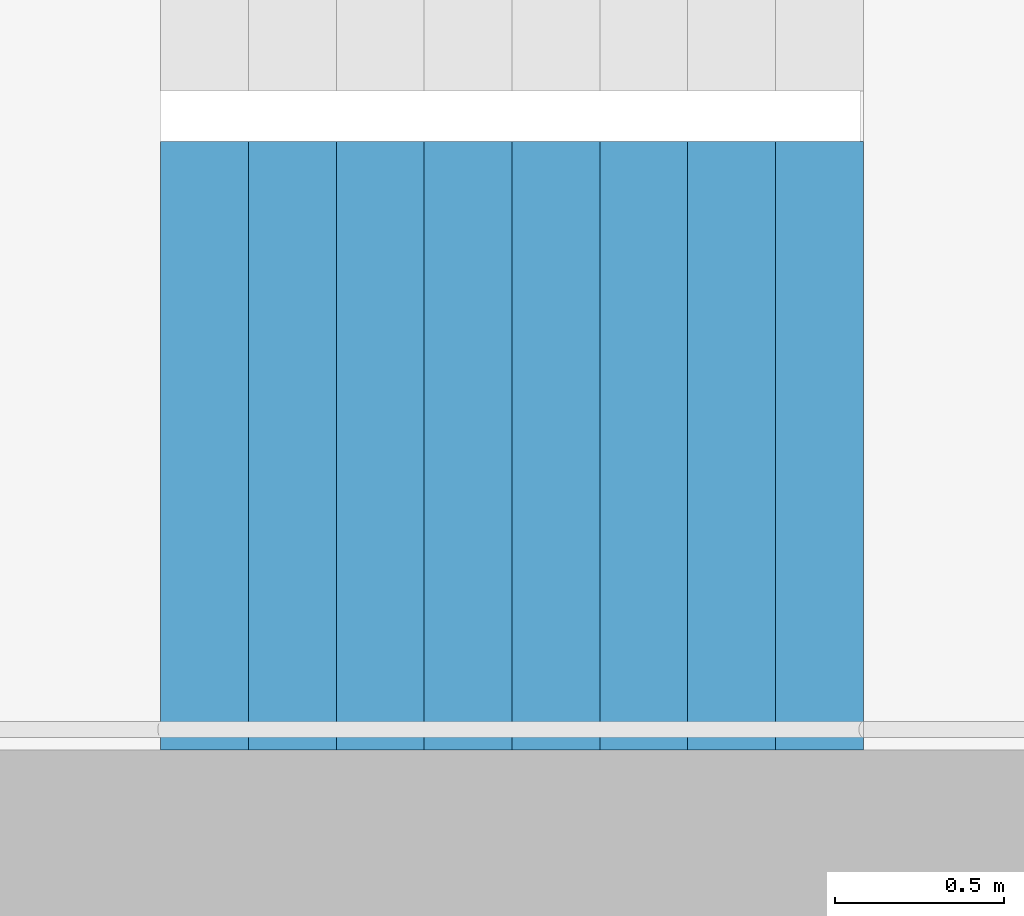
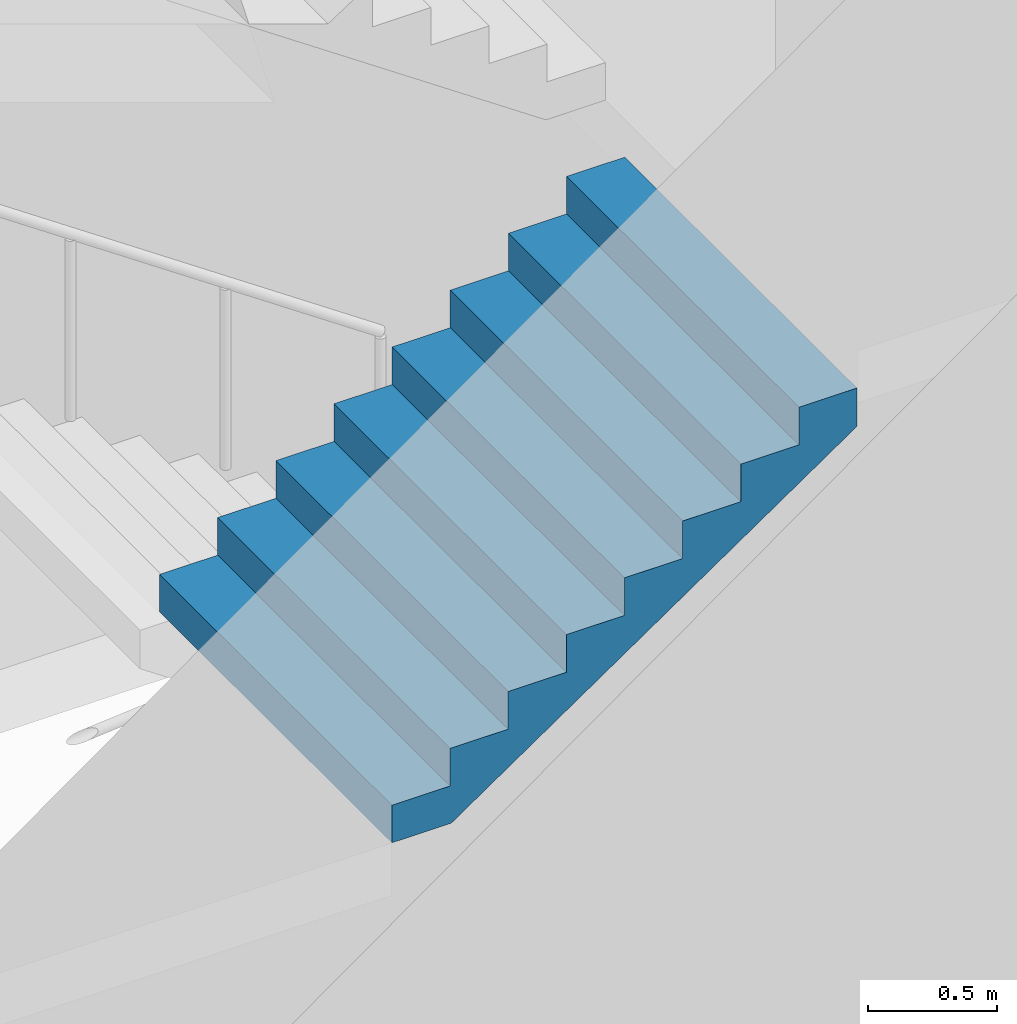
# One storey, part 17 of 43: 1 stair flight, 1 element without a shape of its own.
"""IFC4 building model written with IfcOpenShell, lengths in metres."""

from ifc_helpers import new_model, si_unit, direction, frame, origin, place, context, subcontext, project, spatial, triangles, material, type_object, element, aggregate, save


model = new_model("IFC4")

# Units and contexts
model_context = context("Model", 3, precision=1e-05, world=origin(), true_north=direction((0.0, 1.0)))
body_context = subcontext(model_context, "Body", "Model", "MODEL_VIEW")
ifc_project = project(units=[si_unit("LENGTHUNIT", "METRE"), si_unit("AREAUNIT", "SQUARE_METRE"), si_unit("VOLUMEUNIT", "CUBIC_METRE"), si_unit("PLANEANGLEUNIT", "RADIAN"), si_unit("MASSUNIT", "GRAM", prefix="KILO")], contexts=[model_context])

# Site, building, storey
site_placement = place(None, origin())
site = spatial("IfcSite", under=ifc_project, at=site_placement, CompositionType="ELEMENT")
building_placement = place(site_placement, origin())
building = spatial("IfcBuilding", under=site, at=building_placement, Name="Hakoniwa Tower and Hamabe Station Hall", CompositionType="ELEMENT")
storey_placement = place(building_placement, frame((0.0, 0.0, 124.60009765625)))
storey = spatial("IfcBuildingStorey", under=building, at=storey_placement, Name="L35", CompositionType="ELEMENT", Elevation=124.60009765625)

# Stair, stair flight
ifc_material_1 = material(Name="Concrete C40", Category="concrete")
stair_type = type_object("IfcStairType", Name="ESCAPE STAIR 1800", PredefinedType="HALF_TURN_STAIR", material=ifc_material_1)
stair_placement = place(storey_placement, origin())
stair = element("IfcStair", 1, at=stair_placement, inside=storey, type_object=stair_type, Name="Escape stair ST-2 L35", PredefinedType="HALF_TURN_STAIR")
ifc_material_2 = material(Name="Concrete C40", Category="concrete")
stair_flight_type = type_object("IfcStairFlightType", Name="STAIR FLIGHT 1800", PredefinedType="STRAIGHT", material=ifc_material_2)
stair_flight_placement = place(storey_placement, frame((-25.47998046875, -6.60009765625, 1.599853515625), z_axis=(0.0, 0.0, 1.0), x_axis=(1.0, 0.0, 0.0)))
stair_flight = element("IfcStairFlight", 2, at=stair_flight_placement, type_object=stair_flight_type, Name="ST-2 flight 2", NumberOfRisers=9, NumberOfTreads=8, PredefinedType="STRAIGHT", RiserHeight=0.177777778, TreadLength=0.26, context=body_context, shape_type="Tessellation", body=[
    triangles([(0.0, 0.89990234375, 0.0), (0.260009765625, 0.89990234375, 0.0), (0.265625, 0.89990234375, 0.0), (0.52001953125, 0.89990234375, 0.174072265625), (0.780029296875, 0.89990234375, 0.351806640625), (1.0400390625, 0.89990234375, 0.529541015625), (1.300048828125, 0.89990234375, 0.707275390625), (1.56005859375, 0.89990234375, 0.885009765625), (1.820068359375, 0.89990234375, 1.062744140625), (2.080078125, 0.89990234375, 1.24072265625), (2.080078125, 0.89990234375, 1.422119140625), (1.820068359375, 0.89990234375, 1.422119140625), (1.820068359375, 0.89990234375, 1.244384765625), (1.56005859375, 0.89990234375, 1.244384765625), (1.56005859375, 0.89990234375, 1.066650390625), (1.300048828125, 0.89990234375, 1.066650390625), (1.300048828125, 0.89990234375, 0.888916015625), (1.0400390625, 0.89990234375, 0.888916015625), (1.0400390625, 0.89990234375, 0.711181640625), (0.780029296875, 0.89990234375, 0.711181640625), (0.780029296875, 0.89990234375, 0.533447265625), (0.52001953125, 0.89990234375, 0.533447265625), (0.52001953125, 0.89990234375, 0.35546875), (0.265625, 0.89990234375, 0.35546875), (0.260009765625, 0.89990234375, 0.35546875), (0.260009765625, 0.89990234375, 0.177734375), (0.0, 0.89990234375, 0.177734375), (0.0, 0.06005859375, 0.0), (0.260009765625, 0.06005859375, 0.0), (0.265625, 0.06005859375, 0.0), (0.52001953125, 0.06005859375, 0.174072265625), (0.780029296875, 0.06005859375, 0.351806640625), (1.0400390625, 0.06005859375, 0.529541015625), (1.300048828125, 0.06005859375, 0.707275390625), (1.56005859375, 0.06005859375, 0.885009765625), (1.820068359375, 0.06005859375, 1.062744140625), (2.080078125, 0.06005859375, 1.24072265625), (2.080078125, 0.06005859375, 1.422119140625), (1.820068359375, 0.06005859375, 1.422119140625), (1.820068359375, 0.06005859375, 1.244384765625), (1.56005859375, 0.06005859375, 1.244384765625), (1.56005859375, 0.06005859375, 1.066650390625), (1.300048828125, 0.06005859375, 1.066650390625), (1.300048828125, 0.06005859375, 0.888916015625), (1.0400390625, 0.06005859375, 0.888916015625), (1.0400390625, 0.06005859375, 0.711181640625), (0.780029296875, 0.06005859375, 0.711181640625), (0.780029296875, 0.06005859375, 0.533447265625), (0.52001953125, 0.06005859375, 0.533447265625), (0.52001953125, 0.06005859375, 0.35546875), (0.265625, 0.06005859375, 0.35546875), (0.260009765625, 0.06005859375, 0.35546875), (0.260009765625, 0.06005859375, 0.177734375), (0.0, 0.06005859375, 0.177734375), (0.0, 0.04296875, 0.0), (0.260009765625, 0.04296875, 0.0), (0.265625, 0.04296875, 0.0), (0.52001953125, 0.04296875, 0.174072265625), (0.780029296875, 0.04296875, 0.351806640625), (1.0400390625, 0.04296875, 0.529541015625), (1.300048828125, 0.04296875, 0.707275390625), (1.56005859375, 0.04296875, 0.885009765625), (1.820068359375, 0.04296875, 1.062744140625), (2.080078125, 0.04296875, 1.24072265625), (2.080078125, 0.04296875, 1.422119140625), (1.820068359375, 0.04296875, 1.422119140625), (1.820068359375, 0.04296875, 1.244384765625), (1.56005859375, 0.04296875, 1.244384765625), (1.56005859375, 0.04296875, 1.066650390625), (1.300048828125, 0.04296875, 1.066650390625), (1.300048828125, 0.04296875, 0.888916015625), (1.0400390625, 0.04296875, 0.888916015625), (1.0400390625, 0.04296875, 0.711181640625), (0.780029296875, 0.04296875, 0.711181640625), (0.780029296875, 0.04296875, 0.533447265625), (0.52001953125, 0.04296875, 0.533447265625), (0.52001953125, 0.04296875, 0.35546875), (0.265625, 0.04296875, 0.35546875), (0.260009765625, 0.04296875, 0.35546875), (0.260009765625, 0.04296875, 0.177734375), (0.0, 0.04296875, 0.177734375), (0.0, 0.025634765625, 0.0), (0.260009765625, 0.025634765625, 0.0), (0.265625, 0.025634765625, 0.0), (0.52001953125, 0.025634765625, 0.174072265625), (0.780029296875, 0.025634765625, 0.351806640625), (1.0400390625, 0.025634765625, 0.529541015625), (1.300048828125, 0.025634765625, 0.707275390625), (1.56005859375, 0.025634765625, 0.885009765625), (1.820068359375, 0.025634765625, 1.062744140625), (2.080078125, 0.025634765625, 1.24072265625), (2.080078125, 0.025634765625, 1.422119140625), (1.820068359375, 0.025634765625, 1.422119140625), (1.820068359375, 0.025634765625, 1.244384765625), (1.56005859375, 0.025634765625, 1.244384765625), (1.56005859375, 0.025634765625, 1.066650390625), (1.300048828125, 0.025634765625, 1.066650390625), (1.300048828125, 0.025634765625, 0.888916015625), (1.0400390625, 0.025634765625, 0.888916015625), (1.0400390625, 0.025634765625, 0.711181640625), (0.780029296875, 0.025634765625, 0.711181640625), (0.780029296875, 0.025634765625, 0.533447265625), (0.52001953125, 0.025634765625, 0.533447265625), (0.52001953125, 0.025634765625, 0.35546875), (0.265625, 0.025634765625, 0.35546875), (0.260009765625, 0.025634765625, 0.35546875), (0.260009765625, 0.025634765625, 0.177734375), (0.0, 0.025634765625, 0.177734375), (0.0, 0.008544921875, 0.0), (0.260009765625, 0.008544921875, 0.0), (0.265625, 0.008544921875, 0.0), (0.52001953125, 0.008544921875, 0.174072265625), (0.780029296875, 0.008544921875, 0.351806640625), (1.0400390625, 0.008544921875, 0.529541015625), (1.300048828125, 0.008544921875, 0.707275390625), (1.56005859375, 0.008544921875, 0.885009765625), (1.820068359375, 0.008544921875, 1.062744140625), (2.080078125, 0.008544921875, 1.24072265625), (2.080078125, 0.008544921875, 1.422119140625), (1.820068359375, 0.008544921875, 1.422119140625), (1.820068359375, 0.008544921875, 1.244384765625), (1.56005859375, 0.008544921875, 1.244384765625), (1.56005859375, 0.008544921875, 1.066650390625), (1.300048828125, 0.008544921875, 1.066650390625), (1.300048828125, 0.008544921875, 0.888916015625), (1.0400390625, 0.008544921875, 0.888916015625), (1.0400390625, 0.008544921875, 0.711181640625), (0.780029296875, 0.008544921875, 0.711181640625), (0.780029296875, 0.008544921875, 0.533447265625), (0.52001953125, 0.008544921875, 0.533447265625), (0.52001953125, 0.008544921875, 0.35546875), (0.265625, 0.008544921875, 0.35546875), (0.260009765625, 0.008544921875, 0.35546875), (0.260009765625, 0.008544921875, 0.177734375), (0.0, 0.008544921875, 0.177734375), (0.0, -0.008544921875, 0.0), (0.260009765625, -0.008544921875, 0.0), (0.265625, -0.008544921875, 0.0), (0.52001953125, -0.008544921875, 0.174072265625), (0.780029296875, -0.008544921875, 0.351806640625), (1.0400390625, -0.008544921875, 0.529541015625), (1.300048828125, -0.008544921875, 0.707275390625), (1.56005859375, -0.008544921875, 0.885009765625), (1.820068359375, -0.008544921875, 1.062744140625), (2.080078125, -0.008544921875, 1.24072265625), (2.080078125, -0.008544921875, 1.422119140625), (1.820068359375, -0.008544921875, 1.422119140625), (1.820068359375, -0.008544921875, 1.244384765625), (1.56005859375, -0.008544921875, 1.244384765625), (1.56005859375, -0.008544921875, 1.066650390625), (1.300048828125, -0.008544921875, 1.066650390625), (1.300048828125, -0.008544921875, 0.888916015625), (1.0400390625, -0.008544921875, 0.888916015625), (1.0400390625, -0.008544921875, 0.711181640625), (0.780029296875, -0.008544921875, 0.711181640625), (0.780029296875, -0.008544921875, 0.533447265625), (0.52001953125, -0.008544921875, 0.533447265625), (0.52001953125, -0.008544921875, 0.35546875), (0.265625, -0.008544921875, 0.35546875), (0.260009765625, -0.008544921875, 0.35546875), (0.260009765625, -0.008544921875, 0.177734375), (0.0, -0.008544921875, 0.177734375), (0.0, -0.025634765625, 0.0), (0.260009765625, -0.025634765625, 0.0), (0.265625, -0.025634765625, 0.0), (0.52001953125, -0.025634765625, 0.174072265625), (0.780029296875, -0.025634765625, 0.351806640625), (1.0400390625, -0.025634765625, 0.529541015625), (1.300048828125, -0.025634765625, 0.707275390625), (1.56005859375, -0.025634765625, 0.885009765625), (1.820068359375, -0.025634765625, 1.062744140625), (2.080078125, -0.025634765625, 1.24072265625), (2.080078125, -0.025634765625, 1.422119140625), (1.820068359375, -0.025634765625, 1.422119140625), (1.820068359375, -0.025634765625, 1.244384765625), (1.56005859375, -0.025634765625, 1.244384765625), (1.56005859375, -0.025634765625, 1.066650390625), (1.300048828125, -0.025634765625, 1.066650390625), (1.300048828125, -0.025634765625, 0.888916015625), (1.0400390625, -0.025634765625, 0.888916015625), (1.0400390625, -0.025634765625, 0.711181640625), (0.780029296875, -0.025634765625, 0.711181640625), (0.780029296875, -0.025634765625, 0.533447265625), (0.52001953125, -0.025634765625, 0.533447265625), (0.52001953125, -0.025634765625, 0.35546875), (0.265625, -0.025634765625, 0.35546875), (0.260009765625, -0.025634765625, 0.35546875), (0.260009765625, -0.025634765625, 0.177734375), (0.0, -0.025634765625, 0.177734375), (0.0, -0.04296875, 0.0), (0.260009765625, -0.04296875, 0.0), (0.265625, -0.04296875, 0.0), (0.52001953125, -0.04296875, 0.174072265625), (0.780029296875, -0.04296875, 0.351806640625), (1.0400390625, -0.04296875, 0.529541015625), (1.300048828125, -0.04296875, 0.707275390625), (1.56005859375, -0.04296875, 0.885009765625), (1.820068359375, -0.04296875, 1.062744140625), (2.080078125, -0.04296875, 1.24072265625), (2.080078125, -0.04296875, 1.422119140625), (1.820068359375, -0.04296875, 1.422119140625), (1.820068359375, -0.04296875, 1.244384765625), (1.56005859375, -0.04296875, 1.244384765625), (1.56005859375, -0.04296875, 1.066650390625), (1.300048828125, -0.04296875, 1.066650390625), (1.300048828125, -0.04296875, 0.888916015625), (1.0400390625, -0.04296875, 0.888916015625), (1.0400390625, -0.04296875, 0.711181640625), (0.780029296875, -0.04296875, 0.711181640625), (0.780029296875, -0.04296875, 0.533447265625), (0.52001953125, -0.04296875, 0.533447265625), (0.52001953125, -0.04296875, 0.35546875), (0.265625, -0.04296875, 0.35546875), (0.260009765625, -0.04296875, 0.35546875), (0.260009765625, -0.04296875, 0.177734375), (0.0, -0.04296875, 0.177734375), (0.0, -0.06005859375, 0.0), (0.260009765625, -0.06005859375, 0.0), (0.265625, -0.06005859375, 0.0), (0.52001953125, -0.06005859375, 0.174072265625), (0.780029296875, -0.06005859375, 0.351806640625), (1.0400390625, -0.06005859375, 0.529541015625), (1.300048828125, -0.06005859375, 0.707275390625), (1.56005859375, -0.06005859375, 0.885009765625), (1.820068359375, -0.06005859375, 1.062744140625), (2.080078125, -0.06005859375, 1.24072265625), (2.080078125, -0.06005859375, 1.422119140625), (1.820068359375, -0.06005859375, 1.422119140625), (1.820068359375, -0.06005859375, 1.244384765625), (1.56005859375, -0.06005859375, 1.244384765625), (1.56005859375, -0.06005859375, 1.066650390625), (1.300048828125, -0.06005859375, 1.066650390625), (1.300048828125, -0.06005859375, 0.888916015625), (1.0400390625, -0.06005859375, 0.888916015625), (1.0400390625, -0.06005859375, 0.711181640625), (0.780029296875, -0.06005859375, 0.711181640625), (0.780029296875, -0.06005859375, 0.533447265625), (0.52001953125, -0.06005859375, 0.533447265625), (0.52001953125, -0.06005859375, 0.35546875), (0.265625, -0.06005859375, 0.35546875), (0.260009765625, -0.06005859375, 0.35546875), (0.260009765625, -0.06005859375, 0.177734375), (0.0, -0.06005859375, 0.177734375), (0.0, -0.89990234375, 0.0), (0.260009765625, -0.89990234375, 0.0), (0.265625, -0.89990234375, 0.0), (0.52001953125, -0.89990234375, 0.174072265625), (0.780029296875, -0.89990234375, 0.351806640625), (1.0400390625, -0.89990234375, 0.529541015625), (1.300048828125, -0.89990234375, 0.707275390625), (1.56005859375, -0.89990234375, 0.885009765625), (1.820068359375, -0.89990234375, 1.062744140625), (2.080078125, -0.89990234375, 1.24072265625), (2.080078125, -0.89990234375, 1.422119140625), (1.820068359375, -0.89990234375, 1.422119140625), (1.820068359375, -0.89990234375, 1.244384765625), (1.56005859375, -0.89990234375, 1.244384765625), (1.56005859375, -0.89990234375, 1.066650390625), (1.300048828125, -0.89990234375, 1.066650390625), (1.300048828125, -0.89990234375, 0.888916015625), (1.0400390625, -0.89990234375, 0.888916015625), (1.0400390625, -0.89990234375, 0.711181640625), (0.780029296875, -0.89990234375, 0.711181640625), (0.780029296875, -0.89990234375, 0.533447265625), (0.52001953125, -0.89990234375, 0.533447265625), (0.52001953125, -0.89990234375, 0.35546875), (0.265625, -0.89990234375, 0.35546875), (0.260009765625, -0.89990234375, 0.35546875), (0.260009765625, -0.89990234375, 0.177734375), (0.0, -0.89990234375, 0.177734375)], [[2, 27, 26], [245, 269, 270], [2, 1, 27], [245, 270, 244], [3, 25, 24], [246, 267, 268], [3, 26, 25], [246, 268, 269], [3, 2, 26], [246, 269, 245], [4, 24, 23], [247, 266, 267], [4, 3, 24], [247, 267, 246], [5, 22, 21], [248, 264, 265], [5, 23, 22], [248, 265, 266], [5, 4, 23], [248, 266, 247], [6, 20, 19], [249, 262, 263], [6, 21, 20], [249, 263, 264], [6, 5, 21], [249, 264, 248], [7, 18, 17], [250, 260, 261], [7, 19, 18], [250, 261, 262], [7, 6, 19], [250, 262, 249], [8, 16, 15], [251, 258, 259], [8, 17, 16], [251, 259, 260], [8, 7, 17], [251, 260, 250], [9, 14, 13], [252, 256, 257], [9, 15, 14], [252, 257, 258], [9, 8, 15], [252, 258, 251], [10, 12, 11], [253, 254, 255], [10, 13, 12], [253, 255, 256], [10, 9, 13], [253, 256, 252], [1, 2, 29], [1, 29, 28], [28, 29, 56], [28, 56, 55], [55, 56, 83], [55, 83, 82], [82, 83, 110], [82, 110, 109], [109, 110, 137], [109, 137, 136], [136, 137, 164], [136, 164, 163], [163, 164, 191], [163, 191, 190], [190, 191, 218], [190, 218, 217], [217, 218, 245], [217, 245, 244], [2, 3, 30], [2, 30, 29], [29, 30, 57], [29, 57, 56], [56, 57, 84], [56, 84, 83], [83, 84, 111], [83, 111, 110], [110, 111, 138], [110, 138, 137], [137, 138, 165], [137, 165, 164], [164, 165, 192], [164, 192, 191], [191, 192, 219], [191, 219, 218], [218, 219, 246], [218, 246, 245], [3, 4, 31], [3, 31, 30], [30, 31, 58], [30, 58, 57], [57, 58, 85], [57, 85, 84], [84, 85, 112], [84, 112, 111], [111, 112, 139], [111, 139, 138], [138, 139, 166], [138, 166, 165], [165, 166, 193], [165, 193, 192], [192, 193, 220], [192, 220, 219], [219, 220, 247], [219, 247, 246], [4, 5, 32], [4, 32, 31], [31, 32, 59], [31, 59, 58], [58, 59, 86], [58, 86, 85], [85, 86, 113], [85, 113, 112], [112, 113, 140], [112, 140, 139], [139, 140, 167], [139, 167, 166], [166, 167, 194], [166, 194, 193], [193, 194, 221], [193, 221, 220], [220, 221, 248], [220, 248, 247], [5, 6, 33], [5, 33, 32], [32, 33, 60], [32, 60, 59], [59, 60, 87], [59, 87, 86], [86, 87, 114], [86, 114, 113], [113, 114, 141], [113, 141, 140], [140, 141, 168], [140, 168, 167], [167, 168, 195], [167, 195, 194], [194, 195, 222], [194, 222, 221], [221, 222, 249], [221, 249, 248], [6, 7, 34], [6, 34, 33], [33, 34, 61], [33, 61, 60], [60, 61, 88], [60, 88, 87], [87, 88, 115], [87, 115, 114], [114, 115, 142], [114, 142, 141], [141, 142, 169], [141, 169, 168], [168, 169, 196], [168, 196, 195], [195, 196, 223], [195, 223, 222], [222, 223, 250], [222, 250, 249], [7, 8, 35], [7, 35, 34], [34, 35, 62], [34, 62, 61], [61, 62, 89], [61, 89, 88], [88, 89, 116], [88, 116, 115], [115, 116, 143], [115, 143, 142], [142, 143, 170], [142, 170, 169], [169, 170, 197], [169, 197, 196], [196, 197, 224], [196, 224, 223], [223, 224, 251], [223, 251, 250], [8, 9, 36], [8, 36, 35], [35, 36, 63], [35, 63, 62], [62, 63, 90], [62, 90, 89], [89, 90, 117], [89, 117, 116], [116, 117, 144], [116, 144, 143], [143, 144, 171], [143, 171, 170], [170, 171, 198], [170, 198, 197], [197, 198, 225], [197, 225, 224], [224, 225, 252], [224, 252, 251], [9, 10, 37], [9, 37, 36], [36, 37, 64], [36, 64, 63], [63, 64, 91], [63, 91, 90], [90, 91, 118], [90, 118, 117], [117, 118, 145], [117, 145, 144], [144, 145, 172], [144, 172, 171], [171, 172, 199], [171, 199, 198], [198, 199, 226], [198, 226, 225], [225, 226, 253], [225, 253, 252], [10, 11, 38], [10, 38, 37], [37, 38, 65], [37, 65, 64], [64, 65, 92], [64, 92, 91], [91, 92, 119], [91, 119, 118], [118, 119, 146], [118, 146, 145], [145, 146, 173], [145, 173, 172], [172, 173, 200], [172, 200, 199], [199, 200, 227], [199, 227, 226], [226, 227, 254], [226, 254, 253], [11, 12, 39], [11, 39, 38], [38, 39, 66], [38, 66, 65], [65, 66, 93], [65, 93, 92], [92, 93, 120], [92, 120, 119], [119, 120, 147], [119, 147, 146], [146, 147, 174], [146, 174, 173], [173, 174, 201], [173, 201, 200], [200, 201, 228], [200, 228, 227], [227, 228, 255], [227, 255, 254], [12, 13, 40], [12, 40, 39], [39, 40, 67], [39, 67, 66], [66, 67, 94], [66, 94, 93], [93, 94, 121], [93, 121, 120], [120, 121, 148], [120, 148, 147], [147, 148, 175], [147, 175, 174], [174, 175, 202], [174, 202, 201], [201, 202, 229], [201, 229, 228], [228, 229, 256], [228, 256, 255], [13, 14, 41], [13, 41, 40], [40, 41, 68], [40, 68, 67], [67, 68, 95], [67, 95, 94], [94, 95, 122], [94, 122, 121], [121, 122, 149], [121, 149, 148], [148, 149, 176], [148, 176, 175], [175, 176, 203], [175, 203, 202], [202, 203, 230], [202, 230, 229], [229, 230, 257], [229, 257, 256], [14, 15, 42], [14, 42, 41], [41, 42, 69], [41, 69, 68], [68, 69, 96], [68, 96, 95], [95, 96, 123], [95, 123, 122], [122, 123, 150], [122, 150, 149], [149, 150, 177], [149, 177, 176], [176, 177, 204], [176, 204, 203], [203, 204, 231], [203, 231, 230], [230, 231, 258], [230, 258, 257], [15, 16, 43], [15, 43, 42], [42, 43, 70], [42, 70, 69], [69, 70, 97], [69, 97, 96], [96, 97, 124], [96, 124, 123], [123, 124, 151], [123, 151, 150], [150, 151, 178], [150, 178, 177], [177, 178, 205], [177, 205, 204], [204, 205, 232], [204, 232, 231], [231, 232, 259], [231, 259, 258], [16, 17, 44], [16, 44, 43], [43, 44, 71], [43, 71, 70], [70, 71, 98], [70, 98, 97], [97, 98, 125], [97, 125, 124], [124, 125, 152], [124, 152, 151], [151, 152, 179], [151, 179, 178], [178, 179, 206], [178, 206, 205], [205, 206, 233], [205, 233, 232], [232, 233, 260], [232, 260, 259], [17, 18, 45], [17, 45, 44], [44, 45, 72], [44, 72, 71], [71, 72, 99], [71, 99, 98], [98, 99, 126], [98, 126, 125], [125, 126, 153], [125, 153, 152], [152, 153, 180], [152, 180, 179], [179, 180, 207], [179, 207, 206], [206, 207, 234], [206, 234, 233], [233, 234, 261], [233, 261, 260], [18, 19, 46], [18, 46, 45], [45, 46, 73], [45, 73, 72], [72, 73, 100], [72, 100, 99], [99, 100, 127], [99, 127, 126], [126, 127, 154], [126, 154, 153], [153, 154, 181], [153, 181, 180], [180, 181, 208], [180, 208, 207], [207, 208, 235], [207, 235, 234], [234, 235, 262], [234, 262, 261], [19, 20, 47], [19, 47, 46], [46, 47, 74], [46, 74, 73], [73, 74, 101], [73, 101, 100], [100, 101, 128], [100, 128, 127], [127, 128, 155], [127, 155, 154], [154, 155, 182], [154, 182, 181], [181, 182, 209], [181, 209, 208], [208, 209, 236], [208, 236, 235], [235, 236, 263], [235, 263, 262], [20, 21, 48], [20, 48, 47], [47, 48, 75], [47, 75, 74], [74, 75, 102], [74, 102, 101], [101, 102, 129], [101, 129, 128], [128, 129, 156], [128, 156, 155], [155, 156, 183], [155, 183, 182], [182, 183, 210], [182, 210, 209], [209, 210, 237], [209, 237, 236], [236, 237, 264], [236, 264, 263], [21, 22, 49], [21, 49, 48], [48, 49, 76], [48, 76, 75], [75, 76, 103], [75, 103, 102], [102, 103, 130], [102, 130, 129], [129, 130, 157], [129, 157, 156], [156, 157, 184], [156, 184, 183], [183, 184, 211], [183, 211, 210], [210, 211, 238], [210, 238, 237], [237, 238, 265], [237, 265, 264], [22, 23, 50], [22, 50, 49], [49, 50, 77], [49, 77, 76], [76, 77, 104], [76, 104, 103], [103, 104, 131], [103, 131, 130], [130, 131, 158], [130, 158, 157], [157, 158, 185], [157, 185, 184], [184, 185, 212], [184, 212, 211], [211, 212, 239], [211, 239, 238], [238, 239, 266], [238, 266, 265], [23, 24, 51], [23, 51, 50], [50, 51, 78], [50, 78, 77], [77, 78, 105], [77, 105, 104], [104, 105, 132], [104, 132, 131], [131, 132, 159], [131, 159, 158], [158, 159, 186], [158, 186, 185], [185, 186, 213], [185, 213, 212], [212, 213, 240], [212, 240, 239], [239, 240, 267], [239, 267, 266], [24, 25, 52], [24, 52, 51], [51, 52, 79], [51, 79, 78], [78, 79, 106], [78, 106, 105], [105, 106, 133], [105, 133, 132], [132, 133, 160], [132, 160, 159], [159, 160, 187], [159, 187, 186], [186, 187, 214], [186, 214, 213], [213, 214, 241], [213, 241, 240], [240, 241, 268], [240, 268, 267], [25, 26, 53], [25, 53, 52], [52, 53, 80], [52, 80, 79], [79, 80, 107], [79, 107, 106], [106, 107, 134], [106, 134, 133], [133, 134, 161], [133, 161, 160], [160, 161, 188], [160, 188, 187], [187, 188, 215], [187, 215, 214], [214, 215, 242], [214, 242, 241], [241, 242, 269], [241, 269, 268], [26, 27, 54], [26, 54, 53], [53, 54, 81], [53, 81, 80], [80, 81, 108], [80, 108, 107], [107, 108, 135], [107, 135, 134], [134, 135, 162], [134, 162, 161], [161, 162, 189], [161, 189, 188], [188, 189, 216], [188, 216, 215], [215, 216, 243], [215, 243, 242], [242, 243, 270], [242, 270, 269], [27, 1, 28], [27, 28, 54], [54, 28, 55], [54, 55, 81], [81, 55, 82], [81, 82, 108], [108, 82, 109], [108, 109, 135], [135, 109, 136], [135, 136, 162], [162, 136, 163], [162, 163, 189], [189, 163, 190], [189, 190, 216], [216, 190, 217], [216, 217, 243], [243, 217, 244], [243, 244, 270]], closed=True),
])
aggregate(stair, [stair_flight])

save(model, "model.ifc")
